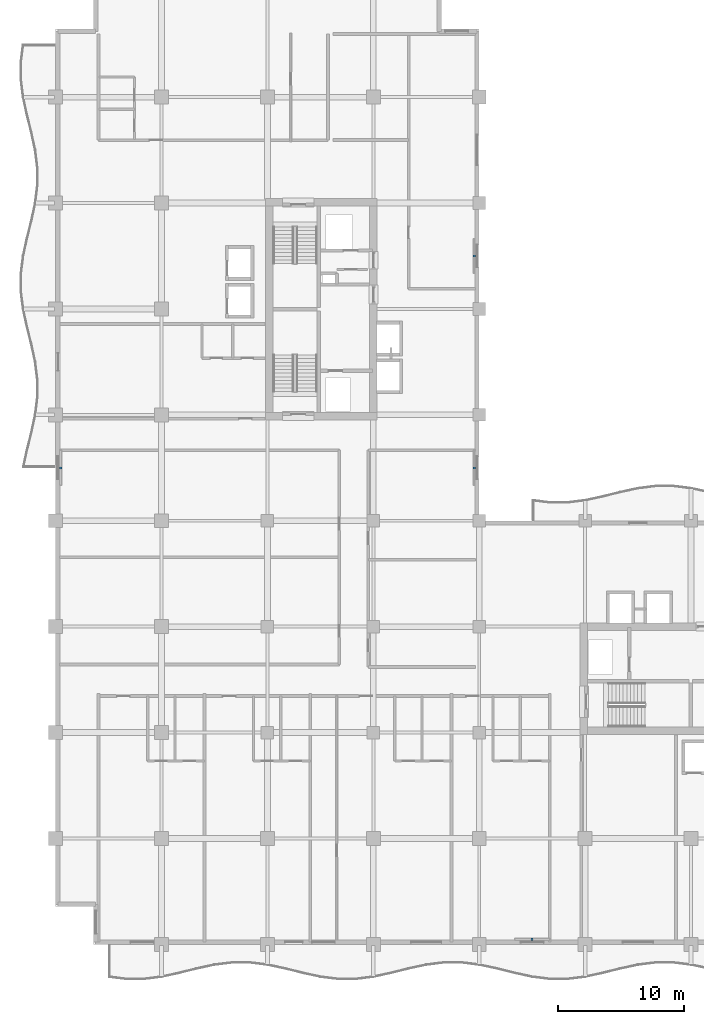
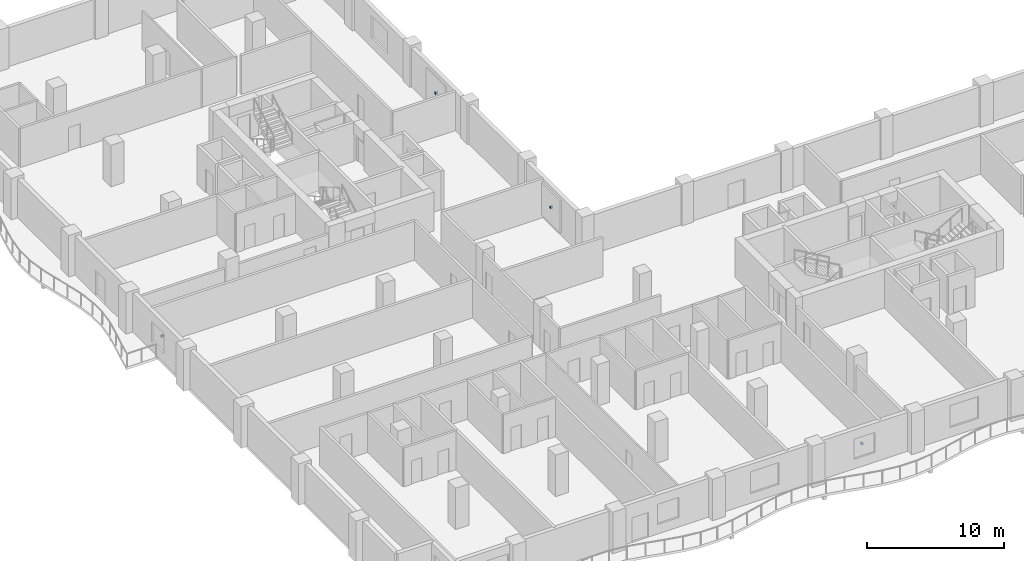
# One storey, part 10 of 14: 4 discrete accessories.
"""IFC4 building model written with IfcOpenShell, lengths in metres."""

from ifc_helpers import new_model, si_unit, direction, frame, origin, origin_2d, place, context, subcontext, project, spatial, rectangle, extrude, material, type_object, element, save


model = new_model("IFC4")

# Units and contexts
model_context = context("Model", 3, precision=1e-05, world=origin(), true_north=direction((0.0, 1.0)))
body_context = subcontext(model_context, "Body", "Model", "MODEL_VIEW")
ifc_project = project(units=[si_unit("LENGTHUNIT", "METRE"), si_unit("AREAUNIT", "SQUARE_METRE"), si_unit("VOLUMEUNIT", "CUBIC_METRE"), si_unit("PLANEANGLEUNIT", "RADIAN"), si_unit("MASSUNIT", "GRAM", prefix="KILO")], contexts=[model_context])

# Site, building, storey
site_placement = place(None, origin())
site = spatial("IfcSite", under=ifc_project, at=site_placement, CompositionType="ELEMENT")
building_placement = place(site_placement, origin())
building = spatial("IfcBuilding", under=site, at=building_placement, Name="Koriwani Terraces Tower", CompositionType="ELEMENT")
storey_placement = place(building_placement, frame((0.0, 0.0, 208.699951171875)))
storey = spatial("IfcBuildingStorey", under=building, at=storey_placement, Name="L51", CompositionType="ELEMENT", Elevation=208.699951171875)

# Discrete accessories
ifc_material = material(Name="Steel ASTM A572 Grade 50", Category="steel")
discrete_accessory_type = type_object("IfcDiscreteAccessoryType", Name="BAGUETTE_STANDOFF_BRACKET", PredefinedType="BRACKET", material=ifc_material)
for number, where, z_axis, x_axis, name in (
    (1, (0.389892578125, 37.800048828125, 1.64501953125), (0.0, 0.0, 1.0), (0.0, 1.0, 0.0), "L51 Terracotta Baguette Bracket (W-12)"),
    (2, (33.2099609375, 37.800048828125, 1.64501953125), (0.0, 0.0, 1.0), (0.0, -1.0, 0.0), "L51 Terracotta Baguette Bracket (NW_IN-2)"),
    (3, (33.2099609375, 54.60009765625, 1.64501953125), (0.0, 0.0, 1.0), (0.0, -1.0, 0.0), "L51 Terracotta Baguette Bracket (NW_IN-8)"),
    (4, (37.800048828125, 0.389892578125, 1.64501953125), (0.0, 0.0, 1.0), (-1.0, 0.0, 0.0), "L51 Terracotta Baguette Bracket (S-12)"),
):
    element("IfcDiscreteAccessory", number, at=place(storey_placement, frame(where, z_axis=z_axis, x_axis=x_axis)), inside=storey, type_object=discrete_accessory_type, Name=name, PredefinedType="BRACKET", context=body_context, shape_type="SweptSolid", body=[
        extrude(rectangle(XDim=0.159912109375, YDim=0.199951171875, at=origin_2d()), origin(), (0.0, 0.0, 1.0), 0.179931640625),
    ])

save(model, "model.ifc")
